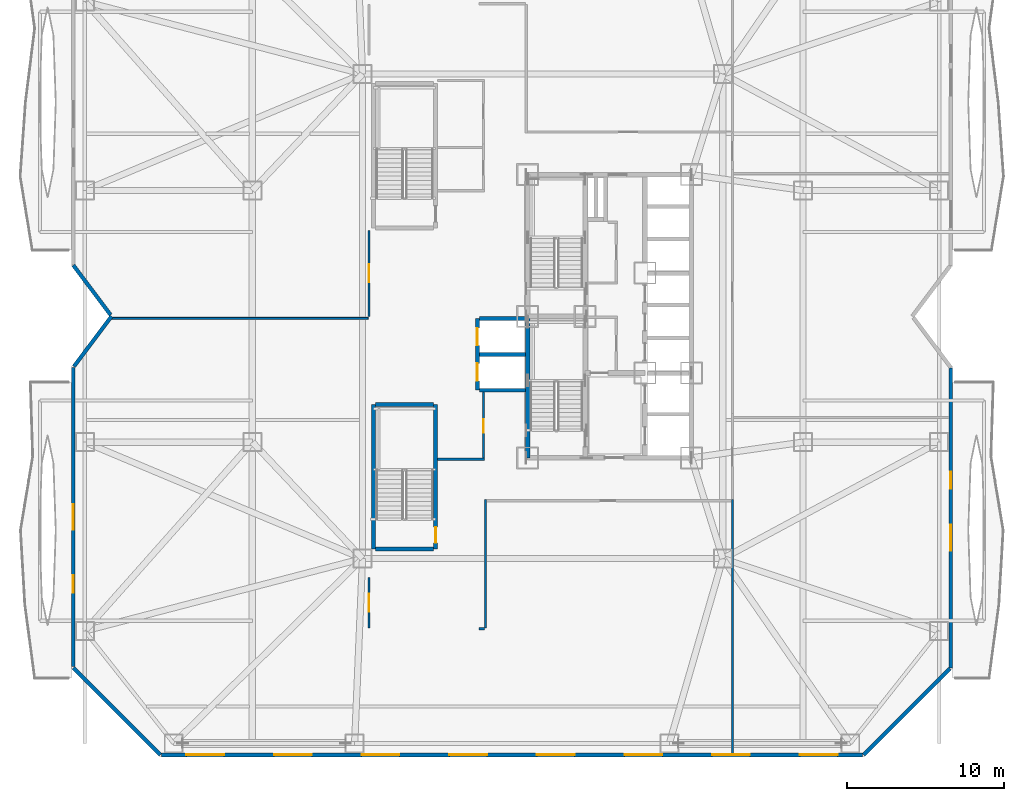
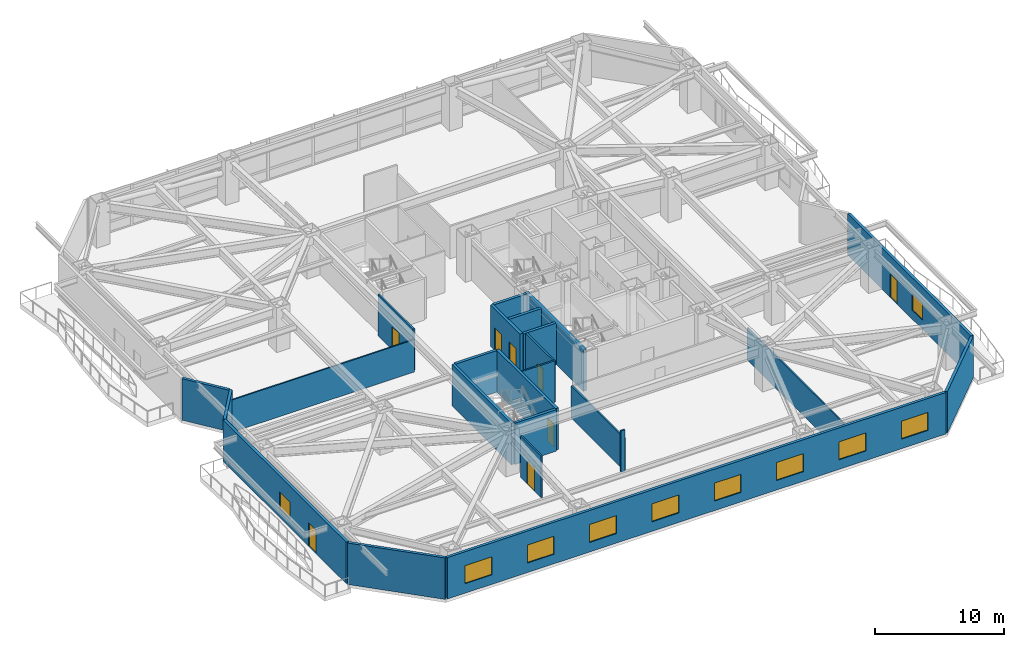
# One storey, part 16 of 25: 24 walls, 10 windows, 8 doors, 18 openings.
"""IFC4 building model written with IfcOpenShell, lengths in metres."""

from ifc_helpers import new_model, si_unit, direction, frame, frame_2d, origin, place, context, subcontext, project, spatial, rectangle, extrude, material, layer, layer_set, type_object, element, fill, save


model = new_model("IFC4")

# Units and contexts
model_context = context("Model", 3, precision=1e-05, world=origin(), true_north=direction((0.0, 1.0)))
body_context = subcontext(model_context, "Body", "Model", "MODEL_VIEW")
ifc_project = project(units=[si_unit("LENGTHUNIT", "METRE"), si_unit("AREAUNIT", "SQUARE_METRE"), si_unit("VOLUMEUNIT", "CUBIC_METRE"), si_unit("PLANEANGLEUNIT", "RADIAN"), si_unit("MASSUNIT", "GRAM", prefix="KILO")], contexts=[model_context])

# Site, building, storey
site_placement = place(None, origin())
site = spatial("IfcSite", under=ifc_project, at=site_placement, CompositionType="ELEMENT")
building_placement = place(site_placement, origin())
building = spatial("IfcBuilding", under=site, at=building_placement, Name="Khamvora Tower", CompositionType="ELEMENT")
storey_placement = place(building_placement, frame((0.0, 0.0, 16.199951171875)))
storey = spatial("IfcBuildingStorey", under=building, at=storey_placement, Name="L03", CompositionType="ELEMENT", Elevation=16.199951171875)

# Walls
ifc_material_1 = material(Name="Concrete C50/60", Category="concrete")
ifc_layer_1 = layer(ifc_material_1, 0.300048828125)
ifc_layer_set_1 = layer_set([ifc_layer_1], Name="Concrete C50/60")
wall_type_1 = type_object("IfcWallType", Name="WAL-CORE-300", PredefinedType="SHEAR", material=ifc_layer_set_1)
wall_1_placement = place(storey_placement, frame((29.0, 19.0, 0.0), z_axis=(0.0, 0.0, 1.0), x_axis=(0.0, 1.0, 0.0)))
element("IfcWall", 1, at=wall_1_placement, inside=storey, type_object=wall_type_1, Name="L03 central core west south wall", PredefinedType="SHEAR", context=body_context, shape_type="SweptSolid", body=[
    extrude(rectangle(XDim=9.0, YDim=0.300048828125, at=frame_2d((4.5, 0.0))), origin(), (0.0, 0.0, 1.0), 3.920166015625),
])
ifc_material_2 = material(Name="Fire-Rated Drywall and Steel Stud", Category="steel")
ifc_layer_2 = layer(ifc_material_2, 0.14990234375)
ifc_layer_set_2 = layer_set([ifc_layer_2], Name="Fire-Rated Drywall and Steel Stud")
wall_type_2 = type_object("IfcWallType", Name="WAL-CORR-150", PredefinedType="STANDARD", material=ifc_layer_set_2)
wall_2_placement = place(storey_placement, frame((23.26708984375, 18.9150390625, 0.0), z_axis=(0.0, 0.0, 1.0), x_axis=(1.0, 0.0, 0.0)))
element("IfcWall", 2, at=wall_2_placement, inside=storey, type_object=wall_type_2, Name="L03 interior partition wall 006", PredefinedType="STANDARD", context=body_context, shape_type="SweptSolid", body=[
    extrude(rectangle(XDim=2.98291015625, YDim=0.14990234375, at=frame_2d((1.491455078125, 0.0))), origin(), (0.0, 0.0, 1.0), 3.920166015625),
])

# Wall, opening, door
wall_3_placement = place(storey_placement, frame((26.18505859375, 18.85205078125, 0.0), z_axis=(0.0, 0.0, 1.0), x_axis=(0.0, 1.0, 0.0)))
wall_3 = element("IfcWall", 3, at=wall_3_placement, inside=storey, type_object=wall_type_2, Name="L03 interior partition wall 007", PredefinedType="STANDARD", context=body_context, shape_type="SweptSolid", body=[
    extrude(rectangle(XDim=4.3310546875, YDim=0.14990234375, at=frame_2d((2.16552734375, 0.0))), origin(), (0.0, 0.0, 1.0), 3.920166015625),
])
opening_1_placement = place(wall_3_placement, frame((1.740966796875, 0.0, 0.0)))
opening_1 = element("IfcOpeningElement", 4, at=opening_1_placement, cuts=wall_3, Name="Opening D-WC1", PredefinedType="OPENING", context=body_context, shape_type="SweptSolid", body=[
    extrude(rectangle(XDim=0.85009765625, YDim=2.10009765625, at=frame_2d((0.425048828125, 1.050048828125))), frame((0.0, 0.0849609375, 0.0), z_axis=(0.0, -1.0, 0.0), x_axis=(1.0, 0.0, 0.0)), (0.0, 0.0, 1.0), 0.169921875),
])
ifc_material_3 = material(Name="Powder-Coated Steel and Hardwood Leaf", Category="steel")
door_type_1 = type_object("IfcDoorType", Name="DOR-WET-850", OperationType="NOTDEFINED", PredefinedType="DOOR", material=ifc_material_3)
door_1_placement = place(opening_1_placement, origin())
door_1 = element("IfcDoor", 5, at=door_1_placement, inside=storey, type_object=door_type_1, Name="L03 interior door SCOR-WCM", OperationType="SINGLE_SWING_RIGHT", OverallHeight=2.10009765625, OverallWidth=0.85009765625, PredefinedType="DOOR", context=body_context, shape_type="SweptSolid", body=[
    extrude(rectangle(XDim=0.85009765625, YDim=2.10009765625, at=frame_2d((0.425048828125, 1.050048828125))), frame((0.0, 0.02490234375, 0.0), z_axis=(0.0, -1.0, 0.0), x_axis=(1.0, 0.0, 0.0)), (0.0, 0.0, 1.0), 0.050048828125),
])
fill(opening_1, door_1)

wall_4_placement = place(storey_placement, frame((18.9150390625, 8.199951171875, 0.0), z_axis=(0.0, 0.0, 1.0), x_axis=(0.0, 1.0, 0.0)))
wall_4 = element("IfcWall", 6, at=wall_4_placement, inside=storey, type_object=wall_type_2, Name="L03 interior partition wall 012", PredefinedType="STANDARD", context=body_context, shape_type="SweptSolid", body=[
    extrude(rectangle(XDim=3.199951171875, YDim=0.14990234375, at=frame_2d((1.60009765625, 0.0))), origin(), (0.0, 0.0, 1.0), 3.920166015625),
])
opening_2_placement = place(wall_4_placement, frame((1.02490234375, 0.0, 0.0)))
opening_2 = element("IfcOpeningElement", 7, at=opening_2_placement, cuts=wall_4, Name="Opening D-SC1", PredefinedType="OPENING", context=body_context, shape_type="SweptSolid", body=[
    extrude(rectangle(XDim=1.14990234375, YDim=2.199951171875, at=frame_2d((0.574951171875, 1.10009765625))), frame((0.0, 0.0849609375, 0.0), z_axis=(0.0, -1.0, 0.0), x_axis=(1.0, 0.0, 0.0)), (0.0, 0.0, 1.0), 0.169921875),
])
door_type_2 = type_object("IfcDoorType", Name="DOR-SCHL-1150", OperationType="NOTDEFINED", PredefinedType="DOOR", material=ifc_material_3)
door_2_placement = place(opening_2_placement, origin())
door_2 = element("IfcDoor", 8, at=door_2_placement, inside=storey, type_object=door_type_2, Name="L03 interior door SCOR-LB1", OperationType="SINGLE_SWING_LEFT", OverallHeight=2.199951171875, OverallWidth=1.14990234375, PredefinedType="DOOR", context=body_context, shape_type="SweptSolid", body=[
    extrude(rectangle(XDim=1.14990234375, YDim=2.199951171875, at=frame_2d((0.574951171875, 1.10009765625))), frame((0.0, 0.02490234375, 0.0), z_axis=(0.0, -1.0, 0.0), x_axis=(1.0, 0.0, 0.0)), (0.0, 0.0, 1.0), 0.050048828125),
])
fill(opening_2, door_2)

wall_5_placement = place(storey_placement, frame((18.9150390625, 28.0, 0.0), z_axis=(0.0, 0.0, 1.0), x_axis=(0.0, 1.0, 0.0)))
wall_5 = element("IfcWall", 9, at=wall_5_placement, inside=storey, type_object=wall_type_2, Name="L03 interior partition wall 013", PredefinedType="STANDARD", context=body_context, shape_type="SweptSolid", body=[
    extrude(rectangle(XDim=5.449951171875, YDim=0.14990234375, at=frame_2d((2.72509765625, 0.0))), origin(), (0.0, 0.0, 1.0), 3.920166015625),
])
opening_3_placement = place(wall_5_placement, frame((2.14990234375, 0.0, 0.0)))
opening_3 = element("IfcOpeningElement", 10, at=opening_3_placement, cuts=wall_5, Name="Opening D-SC1", PredefinedType="OPENING", context=body_context, shape_type="SweptSolid", body=[
    extrude(rectangle(XDim=1.14990234375, YDim=2.199951171875, at=frame_2d((0.574951171875, 1.10009765625))), frame((0.0, 0.0849609375, 0.0), z_axis=(0.0, -1.0, 0.0), x_axis=(1.0, 0.0, 0.0)), (0.0, 0.0, 1.0), 0.169921875),
])
door_3_placement = place(opening_3_placement, origin())
door_3 = element("IfcDoor", 11, at=door_3_placement, inside=storey, type_object=door_type_2, Name="L03 interior door SCOR-LB2", OperationType="SINGLE_SWING_RIGHT", OverallHeight=2.199951171875, OverallWidth=1.14990234375, PredefinedType="DOOR", context=body_context, shape_type="SweptSolid", body=[
    extrude(rectangle(XDim=1.14990234375, YDim=2.199951171875, at=frame_2d((0.574951171875, 1.10009765625))), frame((0.0, 0.02490234375, 0.0), z_axis=(0.0, -1.0, 0.0), x_axis=(1.0, 0.0, 0.0)), (0.0, 0.0, 1.0), 0.050048828125),
])
fill(opening_3, door_3)

# Walls
wall_6_placement = place(storey_placement, frame((26.31494140625, 16.35009765625, 0.0), z_axis=(0.0, 0.0, 1.0), x_axis=(0.0, -1.0, 0.0)))
element("IfcWall", 12, at=wall_6_placement, inside=storey, type_object=wall_type_2, Name="L03 interior partition wall 019", PredefinedType="STANDARD", context=body_context, shape_type="SweptSolid", body=[
    extrude(rectangle(XDim=8.150146484375, YDim=0.14990234375, at=frame_2d((4.0751953125, 0.0))), origin(), (0.0, 0.0, 1.0), 3.054931640625),
])
wall_7_placement = place(storey_placement, frame((26.25, 8.135009765625, 0.0), z_axis=(0.0, 0.0, 1.0), x_axis=(-1.0, 0.0, 0.0)))
element("IfcWall", 13, at=wall_7_placement, inside=storey, type_object=wall_type_2, Name="L03 interior partition wall 020", PredefinedType="STANDARD", context=body_context, shape_type="SweptSolid", body=[
    extrude(rectangle(XDim=0.339111328125, YDim=0.14990234375, at=frame_2d((0.16943359375, 0.0))), origin(), (0.0, 0.0, 1.0), 3.920166015625),
])
ifc_material_4 = material(Name="Precast concrete C40/50", Category="concrete")
ifc_layer_3 = layer(ifc_material_4, 0.239990234375)
ifc_layer_set_3 = layer_set([ifc_layer_3], Name="Precast concrete C40/50")
wall_type_3 = type_object("IfcWallType", Name="WAL-EXT-240", PredefinedType="STANDARD", material=ifc_layer_set_3)
wall_8_placement = place(storey_placement, frame((5.64990234375, 0.1201171875, 0.0), z_axis=(0.0, 0.0, 1.0), x_axis=(-0.707106781187, 0.707106781187, 0.0)))
element("IfcWall", 14, at=wall_8_placement, inside=storey, type_object=wall_type_3, Name="L03 exterior facade wall 01.1", PredefinedType="STANDARD", context=body_context, shape_type="SweptSolid", body=[
    extrude(rectangle(XDim=7.8203125, YDim=0.239990234375, at=frame_2d((3.91015625, 0.0))), origin(), (0.0, 0.0, 1.0), 3.920166015625),
])

# Wall, openings, door, window
wall_9_placement = place(storey_placement, frame((0.1201171875, 5.72802734375, 0.0), z_axis=(0.0, 0.0, 1.0), x_axis=(0.0, 1.0, 0.0)))
wall_9 = element("IfcWall", 15, at=wall_9_placement, inside=storey, type_object=wall_type_3, Name="L03 exterior facade wall 02.1", PredefinedType="STANDARD", context=body_context, shape_type="SweptSolid", body=[
    extrude(rectangle(XDim=19.031982421875, YDim=0.239990234375, at=frame_2d((9.51611328125, 0.0))), origin(), (0.0, 0.0, 1.0), 3.920166015625),
])
opening_4_placement = place(wall_9_placement, frame((4.7060546875, 0.0, 0.0)))
opening_4 = element("IfcOpeningElement", 16, at=opening_4_placement, cuts=wall_9, Name="Opening BD-01", PredefinedType="OPENING", context=body_context, shape_type="SweptSolid", body=[
    extrude(rectangle(XDim=1.10009765625, YDim=2.199951171875, at=frame_2d((0.550048828125, 1.10009765625))), frame((0.0, 0.1298828125, 0.0), z_axis=(0.0, -1.0, 0.0), x_axis=(1.0, 0.0, 0.0)), (0.0, 0.0, 1.0), 0.260009765625),
])
opening_5_placement = place(wall_9_placement, frame((8.69091796875, 0.0, 0.85009765625)))
opening_5 = element("IfcOpeningElement", 17, at=opening_5_placement, cuts=wall_9, Name="Opening WN-06", PredefinedType="OPENING", context=body_context, shape_type="SweptSolid", body=[
    extrude(rectangle(XDim=1.64990234375, YDim=1.550048828125, at=frame_2d((0.824951171875, 0.77490234375))), frame((0.0, 0.1298828125, 0.0), z_axis=(0.0, -1.0, 0.0), x_axis=(1.0, 0.0, 0.0)), (0.0, 0.0, 1.0), 0.260009765625),
])
ifc_material_5 = material(Name="Anodised Aluminium and Laminated Safety Glass", Category="aluminium")
door_type_3 = type_object("IfcDoorType", Name="DOR-BAL-1100", OperationType="NOTDEFINED", PredefinedType="DOOR", material=ifc_material_5)
door_4_placement = place(opening_4_placement, origin())
door_4 = element("IfcDoor", 18, at=door_4_placement, inside=storey, type_object=door_type_3, Name="L03 lens gallery balcony door WL1", OperationType="SLIDING_TO_LEFT", OverallHeight=2.199951171875, OverallWidth=1.10009765625, PredefinedType="DOOR", context=body_context, shape_type="SweptSolid", body=[
    extrude(rectangle(XDim=1.10009765625, YDim=2.199951171875, at=frame_2d((0.550048828125, 1.10009765625))), frame((0.0, 0.02490234375, 0.0), z_axis=(0.0, -1.0, 0.0), x_axis=(1.0, 0.0, 0.0)), (0.0, 0.0, 1.0), 0.050048828125),
])
fill(opening_4, door_4)
ifc_material_6 = material(Name="Low-E Laminated Double Glazing", Category="glass")
window_type_1 = type_object("IfcWindowType", Name="WIN-VIS-1650x1550", PartitioningType="SINGLE_PANEL", PredefinedType="WINDOW", material=ifc_material_6)
window_1_placement = place(opening_5_placement, origin())
window_1 = element("IfcWindow", 19, at=window_1_placement, inside=storey, type_object=window_type_1, Name="L03 vision window 02.1.01", OverallHeight=1.550048828125, OverallWidth=1.64990234375, PartitioningType="SINGLE_PANEL", PredefinedType="WINDOW", context=body_context, shape_type="SweptSolid", body=[
    extrude(rectangle(XDim=1.64990234375, YDim=1.550048828125, at=frame_2d((0.824951171875, 0.77490234375))), frame((0.0, 0.030029296875, 0.0), z_axis=(0.0, -1.0, 0.0), x_axis=(1.0, 0.0, 0.0)), (0.0, 0.0, 1.0), 0.06005859375),
])
fill(opening_5, window_1)

# Walls
wall_10_placement = place(storey_placement, frame((0.157958984375, 24.81103515625, 0.0), z_axis=(0.0, 0.0, 1.0), x_axis=(0.600058791648, 0.799955902889, 0.0)))
element("IfcWall", 20, at=wall_10_placement, inside=storey, type_object=wall_type_3, Name="L03 exterior facade wall 03.1", PredefinedType="STANDARD", context=body_context, shape_type="SweptSolid", body=[
    extrude(rectangle(XDim=3.986328125, YDim=0.239990234375, at=frame_2d((1.9931640625, 0.0))), origin(), (0.0, 0.0, 1.0), 3.920166015625),
])
wall_11_placement = place(storey_placement, frame((2.487060546875, 28.083984375, 0.0), z_axis=(0.0, 0.0, 1.0), x_axis=(-0.599990098106, 0.800007426325, 0.0)))
element("IfcWall", 21, at=wall_11_placement, inside=storey, type_object=wall_type_3, Name="L03 exterior facade wall 04.1", PredefinedType="STANDARD", context=body_context, shape_type="SweptSolid", body=[
    extrude(rectangle(XDim=3.945068359375, YDim=0.239990234375, at=frame_2d((1.97265625, 0.0))), origin(), (0.0, 0.0, 1.0), 3.920166015625),
])

# Wall, openings, door, window
wall_12_placement = place(storey_placement, frame((55.8798828125, 24.697998046875, 0.0), z_axis=(0.0, 0.0, 1.0), x_axis=(0.0, -1.0, 0.0)))
wall_12 = element("IfcWall", 22, at=wall_12_placement, inside=storey, type_object=wall_type_3, Name="L03 exterior facade wall 12.1", PredefinedType="STANDARD", context=body_context, shape_type="SweptSolid", body=[
    extrude(rectangle(XDim=19.048095703125, YDim=0.239990234375, at=frame_2d((9.52392578125, 0.0))), origin(), (0.0, 0.0, 1.0), 3.920166015625),
])
opening_6_placement = place(wall_12_placement, frame((6.56396484375, 0.0, 0.0)))
opening_6 = element("IfcOpeningElement", 23, at=opening_6_placement, cuts=wall_12, Name="Opening BD-01", PredefinedType="OPENING", context=body_context, shape_type="SweptSolid", body=[
    extrude(rectangle(XDim=1.10009765625, YDim=2.199951171875, at=frame_2d((0.550048828125, 1.10009765625))), frame((0.0, 0.1298828125, 0.0), z_axis=(0.0, -1.0, 0.0), x_axis=(1.0, 0.0, 0.0)), (0.0, 0.0, 1.0), 0.260009765625),
])
opening_7_placement = place(wall_12_placement, frame((9.947998046875, 0.0, 0.85009765625)))
opening_7 = element("IfcOpeningElement", 24, at=opening_7_placement, cuts=wall_12, Name="Opening WN-06", PredefinedType="OPENING", context=body_context, shape_type="SweptSolid", body=[
    extrude(rectangle(XDim=1.64990234375, YDim=1.550048828125, at=frame_2d((0.824951171875, 0.77490234375))), frame((0.0, 0.1298828125, 0.0), z_axis=(0.0, -1.0, 0.0), x_axis=(1.0, 0.0, 0.0)), (0.0, 0.0, 1.0), 0.260009765625),
])
door_5_placement = place(opening_6_placement, origin())
door_5 = element("IfcDoor", 25, at=door_5_placement, inside=storey, type_object=door_type_3, Name="L03 lens gallery balcony door EL1", OperationType="SLIDING_TO_LEFT", OverallHeight=2.199951171875, OverallWidth=1.10009765625, PredefinedType="DOOR", context=body_context, shape_type="SweptSolid", body=[
    extrude(rectangle(XDim=1.10009765625, YDim=2.199951171875, at=frame_2d((0.550048828125, 1.10009765625))), frame((0.0, 0.02490234375, 0.0), z_axis=(0.0, -1.0, 0.0), x_axis=(1.0, 0.0, 0.0)), (0.0, 0.0, 1.0), 0.050048828125),
])
fill(opening_6, door_5)
window_2_placement = place(opening_7_placement, origin())
window_2 = element("IfcWindow", 26, at=window_2_placement, inside=storey, type_object=window_type_1, Name="L03 vision window 12.1.01", OverallHeight=1.550048828125, OverallWidth=1.64990234375, PartitioningType="SINGLE_PANEL", PredefinedType="WINDOW", context=body_context, shape_type="SweptSolid", body=[
    extrude(rectangle(XDim=1.64990234375, YDim=1.550048828125, at=frame_2d((0.824951171875, 0.77490234375))), frame((0.0, 0.030029296875, 0.0), z_axis=(0.0, -1.0, 0.0), x_axis=(1.0, 0.0, 0.0)), (0.0, 0.0, 1.0), 0.06005859375),
])
fill(opening_7, window_2)

# Wall
wall_13_placement = place(storey_placement, frame((55.825927734375, 5.595947265625, 0.0), z_axis=(0.0, 0.0, 1.0), x_axis=(-0.707106781187, -0.707106781187, 0.0)))
element("IfcWall", 27, at=wall_13_placement, inside=storey, type_object=wall_type_3, Name="L03 exterior facade wall 13.1", PredefinedType="STANDARD", context=body_context, shape_type="SweptSolid", body=[
    extrude(rectangle(XDim=7.743896484375, YDim=0.239990234375, at=frame_2d((3.8720703125, 0.0))), origin(), (0.0, 0.0, 1.0), 3.920166015625),
])

# Wall, openings, windows
wall_14_placement = place(storey_placement, frame((50.27490234375, 0.1201171875, 0.0), z_axis=(0.0, 0.0, 1.0), x_axis=(-1.0, 0.0, 0.0)))
wall_14 = element("IfcWall", 28, at=wall_14_placement, inside=storey, type_object=wall_type_3, Name="L03 exterior facade wall 14.1", PredefinedType="STANDARD", context=body_context, shape_type="SweptSolid", body=[
    extrude(rectangle(XDim=44.5498046875, YDim=0.239990234375, at=frame_2d((22.27490234375, 0.0))), origin(), (0.0, 0.0, 1.0), 3.920166015625),
])
opening_8_placement = place(wall_14_placement, frame((1.583984375, 0.0, 0.89990234375)))
opening_8 = element("IfcOpeningElement", 29, at=opening_8_placement, cuts=wall_14, Name="Opening WN-04", PredefinedType="OPENING", context=body_context, shape_type="SweptSolid", body=[
    extrude(rectangle(XDim=2.39990234375, YDim=1.699951171875, at=frame_2d((1.199951171875, 0.85009765625))), frame((0.0, 0.1298828125, 0.0), z_axis=(0.0, -1.0, 0.0), x_axis=(1.0, 0.0, 0.0)), (0.0, 0.0, 1.0), 0.260009765625),
])
opening_9_placement = place(wall_14_placement, frame((7.153076171875, 0.0, 0.89990234375)))
opening_9 = element("IfcOpeningElement", 30, at=opening_9_placement, cuts=wall_14, Name="Opening WN-04", PredefinedType="OPENING", context=body_context, shape_type="SweptSolid", body=[
    extrude(rectangle(XDim=2.39990234375, YDim=1.699951171875, at=frame_2d((1.199951171875, 0.85009765625))), frame((0.0, 0.1298828125, 0.0), z_axis=(0.0, -1.0, 0.0), x_axis=(1.0, 0.0, 0.0)), (0.0, 0.0, 1.0), 0.260009765625),
])
opening_10_placement = place(wall_14_placement, frame((12.721923828125, 0.0, 0.89990234375)))
opening_10 = element("IfcOpeningElement", 31, at=opening_10_placement, cuts=wall_14, Name="Opening WN-04", PredefinedType="OPENING", context=body_context, shape_type="SweptSolid", body=[
    extrude(rectangle(XDim=2.39990234375, YDim=1.699951171875, at=frame_2d((1.199951171875, 0.85009765625))), frame((0.0, 0.1298828125, 0.0), z_axis=(0.0, -1.0, 0.0), x_axis=(1.0, 0.0, 0.0)), (0.0, 0.0, 1.0), 0.260009765625),
])
opening_11_placement = place(wall_14_placement, frame((18.291015625, 0.0, 0.89990234375)))
opening_11 = element("IfcOpeningElement", 32, at=opening_11_placement, cuts=wall_14, Name="Opening WN-04", PredefinedType="OPENING", context=body_context, shape_type="SweptSolid", body=[
    extrude(rectangle(XDim=2.39990234375, YDim=1.699951171875, at=frame_2d((1.199951171875, 0.85009765625))), frame((0.0, 0.1298828125, 0.0), z_axis=(0.0, -1.0, 0.0), x_axis=(1.0, 0.0, 0.0)), (0.0, 0.0, 1.0), 0.260009765625),
])
opening_12_placement = place(wall_14_placement, frame((23.85888671875, 0.0, 0.89990234375)))
opening_12 = element("IfcOpeningElement", 33, at=opening_12_placement, cuts=wall_14, Name="Opening WN-04", PredefinedType="OPENING", context=body_context, shape_type="SweptSolid", body=[
    extrude(rectangle(XDim=2.39990234375, YDim=1.699951171875, at=frame_2d((1.199951171875, 0.85009765625))), frame((0.0, 0.1298828125, 0.0), z_axis=(0.0, -1.0, 0.0), x_axis=(1.0, 0.0, 0.0)), (0.0, 0.0, 1.0), 0.260009765625),
])
opening_13_placement = place(wall_14_placement, frame((29.427978515625, 0.0, 0.89990234375)))
opening_13 = element("IfcOpeningElement", 34, at=opening_13_placement, cuts=wall_14, Name="Opening WN-04", PredefinedType="OPENING", context=body_context, shape_type="SweptSolid", body=[
    extrude(rectangle(XDim=2.39990234375, YDim=1.699951171875, at=frame_2d((1.199951171875, 0.85009765625))), frame((0.0, 0.1298828125, 0.0), z_axis=(0.0, -1.0, 0.0), x_axis=(1.0, 0.0, 0.0)), (0.0, 0.0, 1.0), 0.260009765625),
])
opening_14_placement = place(wall_14_placement, frame((34.9970703125, 0.0, 0.89990234375)))
opening_14 = element("IfcOpeningElement", 35, at=opening_14_placement, cuts=wall_14, Name="Opening WN-04", PredefinedType="OPENING", context=body_context, shape_type="SweptSolid", body=[
    extrude(rectangle(XDim=2.39990234375, YDim=1.699951171875, at=frame_2d((1.199951171875, 0.85009765625))), frame((0.0, 0.1298828125, 0.0), z_axis=(0.0, -1.0, 0.0), x_axis=(1.0, 0.0, 0.0)), (0.0, 0.0, 1.0), 0.260009765625),
])
opening_15_placement = place(wall_14_placement, frame((40.56591796875, 0.0, 0.89990234375)))
opening_15 = element("IfcOpeningElement", 36, at=opening_15_placement, cuts=wall_14, Name="Opening WN-04", PredefinedType="OPENING", context=body_context, shape_type="SweptSolid", body=[
    extrude(rectangle(XDim=2.39990234375, YDim=1.699951171875, at=frame_2d((1.199951171875, 0.85009765625))), frame((0.0, 0.1298828125, 0.0), z_axis=(0.0, -1.0, 0.0), x_axis=(1.0, 0.0, 0.0)), (0.0, 0.0, 1.0), 0.260009765625),
])
window_type_2 = type_object("IfcWindowType", Name="WIN-VIS-2400x1700", PartitioningType="SINGLE_PANEL", PredefinedType="WINDOW", material=ifc_material_6)
window_3_placement = place(opening_8_placement, origin())
window_3 = element("IfcWindow", 37, at=window_3_placement, inside=storey, type_object=window_type_2, Name="L03 vision window 14.1.01", OverallHeight=1.699951171875, OverallWidth=2.39990234375, PartitioningType="SINGLE_PANEL", PredefinedType="WINDOW", context=body_context, shape_type="SweptSolid", body=[
    extrude(rectangle(XDim=2.39990234375, YDim=1.699951171875, at=frame_2d((1.199951171875, 0.85009765625))), frame((0.0, 0.030029296875, 0.0), z_axis=(0.0, -1.0, 0.0), x_axis=(1.0, 0.0, 0.0)), (0.0, 0.0, 1.0), 0.06005859375),
])
fill(opening_8, window_3)
window_4_placement = place(opening_9_placement, origin())
window_4 = element("IfcWindow", 38, at=window_4_placement, inside=storey, type_object=window_type_2, Name="L03 vision window 14.1.02", OverallHeight=1.699951171875, OverallWidth=2.39990234375, PartitioningType="SINGLE_PANEL", PredefinedType="WINDOW", context=body_context, shape_type="SweptSolid", body=[
    extrude(rectangle(XDim=2.39990234375, YDim=1.699951171875, at=frame_2d((1.199951171875, 0.85009765625))), frame((0.0, 0.030029296875, 0.0), z_axis=(0.0, -1.0, 0.0), x_axis=(1.0, 0.0, 0.0)), (0.0, 0.0, 1.0), 0.06005859375),
])
fill(opening_9, window_4)
window_5_placement = place(opening_10_placement, origin())
window_5 = element("IfcWindow", 39, at=window_5_placement, inside=storey, type_object=window_type_2, Name="L03 vision window 14.1.03", OverallHeight=1.699951171875, OverallWidth=2.39990234375, PartitioningType="SINGLE_PANEL", PredefinedType="WINDOW", context=body_context, shape_type="SweptSolid", body=[
    extrude(rectangle(XDim=2.39990234375, YDim=1.699951171875, at=frame_2d((1.199951171875, 0.85009765625))), frame((0.0, 0.030029296875, 0.0), z_axis=(0.0, -1.0, 0.0), x_axis=(1.0, 0.0, 0.0)), (0.0, 0.0, 1.0), 0.06005859375),
])
fill(opening_10, window_5)
window_6_placement = place(opening_11_placement, origin())
window_6 = element("IfcWindow", 40, at=window_6_placement, inside=storey, type_object=window_type_2, Name="L03 vision window 14.1.04", OverallHeight=1.699951171875, OverallWidth=2.39990234375, PartitioningType="SINGLE_PANEL", PredefinedType="WINDOW", context=body_context, shape_type="SweptSolid", body=[
    extrude(rectangle(XDim=2.39990234375, YDim=1.699951171875, at=frame_2d((1.199951171875, 0.85009765625))), frame((0.0, 0.030029296875, 0.0), z_axis=(0.0, -1.0, 0.0), x_axis=(1.0, 0.0, 0.0)), (0.0, 0.0, 1.0), 0.06005859375),
])
fill(opening_11, window_6)
window_7_placement = place(opening_12_placement, origin())
window_7 = element("IfcWindow", 41, at=window_7_placement, inside=storey, type_object=window_type_2, Name="L03 vision window 14.1.05", OverallHeight=1.699951171875, OverallWidth=2.39990234375, PartitioningType="SINGLE_PANEL", PredefinedType="WINDOW", context=body_context, shape_type="SweptSolid", body=[
    extrude(rectangle(XDim=2.39990234375, YDim=1.699951171875, at=frame_2d((1.199951171875, 0.85009765625))), frame((0.0, 0.030029296875, 0.0), z_axis=(0.0, -1.0, 0.0), x_axis=(1.0, 0.0, 0.0)), (0.0, 0.0, 1.0), 0.06005859375),
])
fill(opening_12, window_7)
window_8_placement = place(opening_13_placement, origin())
window_8 = element("IfcWindow", 42, at=window_8_placement, inside=storey, type_object=window_type_2, Name="L03 vision window 14.1.06", OverallHeight=1.699951171875, OverallWidth=2.39990234375, PartitioningType="SINGLE_PANEL", PredefinedType="WINDOW", context=body_context, shape_type="SweptSolid", body=[
    extrude(rectangle(XDim=2.39990234375, YDim=1.699951171875, at=frame_2d((1.199951171875, 0.85009765625))), frame((0.0, 0.030029296875, 0.0), z_axis=(0.0, -1.0, 0.0), x_axis=(1.0, 0.0, 0.0)), (0.0, 0.0, 1.0), 0.06005859375),
])
fill(opening_13, window_8)
window_9_placement = place(opening_14_placement, origin())
window_9 = element("IfcWindow", 43, at=window_9_placement, inside=storey, type_object=window_type_2, Name="L03 vision window 14.1.07", OverallHeight=1.699951171875, OverallWidth=2.39990234375, PartitioningType="SINGLE_PANEL", PredefinedType="WINDOW", context=body_context, shape_type="SweptSolid", body=[
    extrude(rectangle(XDim=2.39990234375, YDim=1.699951171875, at=frame_2d((1.199951171875, 0.85009765625))), frame((0.0, 0.030029296875, 0.0), z_axis=(0.0, -1.0, 0.0), x_axis=(1.0, 0.0, 0.0)), (0.0, 0.0, 1.0), 0.06005859375),
])
fill(opening_14, window_9)
window_10_placement = place(opening_15_placement, origin())
window_10 = element("IfcWindow", 44, at=window_10_placement, inside=storey, type_object=window_type_2, Name="L03 vision window 14.1.08", OverallHeight=1.699951171875, OverallWidth=2.39990234375, PartitioningType="SINGLE_PANEL", PredefinedType="WINDOW", context=body_context, shape_type="SweptSolid", body=[
    extrude(rectangle(XDim=2.39990234375, YDim=1.699951171875, at=frame_2d((1.199951171875, 0.85009765625))), frame((0.0, 0.030029296875, 0.0), z_axis=(0.0, -1.0, 0.0), x_axis=(1.0, 0.0, 0.0)), (0.0, 0.0, 1.0), 0.06005859375),
])
fill(opening_15, window_10)

# Walls
ifc_material_7 = material(Name="Gypsum Plasterboard Partition", Category="gypsum")
ifc_layer_4 = layer(ifc_material_7, 0.1201171875)
ifc_layer_set_4 = layer_set([ifc_layer_4], Name="Gypsum Plasterboard Partition")
wall_type_4 = type_object("IfcWallType", Name="WAL-PART-120", PredefinedType="PARTITIONING", material=ifc_layer_set_4)
wall_15_placement = place(storey_placement, frame((2.449951171875, 27.864990234375, 0.0), z_axis=(0.0, 0.0, 1.0), x_axis=(1.0, 0.0, 0.0)))
element("IfcWall", 45, at=wall_15_placement, inside=storey, type_object=wall_type_4, Name="L03 interior partition wall 025", PredefinedType="PARTITIONING", context=body_context, shape_type="SweptSolid", body=[
    extrude(rectangle(XDim=16.41015625, YDim=0.1201171875, at=frame_2d((8.205078125, 0.0))), origin(), (0.0, 0.0, 1.0), 3.054931640625),
])
wall_16_placement = place(storey_placement, frame((42.014892578125, 0.242919921875, 0.0), z_axis=(0.0, 0.0, 1.0), x_axis=(0.0, 1.0, 0.0)))
element("IfcWall", 46, at=wall_16_placement, inside=storey, type_object=wall_type_4, Name="L03 interior partition wall 027", PredefinedType="PARTITIONING", context=body_context, shape_type="SweptSolid", body=[
    extrude(rectangle(XDim=16.107177734375, YDim=0.1201171875, at=frame_2d((8.0537109375, 0.0))), origin(), (0.0, 0.0, 1.0), 3.054931640625),
])
ifc_material_8 = material(Name="Concrete C40/50", Category="concrete")
ifc_layer_5 = layer(ifc_material_8, 0.25)
ifc_layer_set_5 = layer_set([ifc_layer_5], Name="Concrete C40/50")
wall_type_5 = type_object("IfcWallType", Name="WAL-PODS-250", PredefinedType="SHEAR", material=ifc_layer_set_5)
wall_17_placement = place(storey_placement, frame((19.199951171875, 13.199951171875, 0.0), z_axis=(0.0, 0.0, 1.0), x_axis=(0.0, 1.0, 0.0)))
element("IfcWall", 47, at=wall_17_placement, inside=storey, type_object=wall_type_5, Name="L03 podium stair core wall st3 w", PredefinedType="SHEAR", context=body_context, shape_type="SweptSolid", body=[
    extrude(rectangle(XDim=9.199951171875, YDim=0.25, at=frame_2d((4.60009765625, 0.0))), origin(), (0.0, 0.0, 1.0), 3.920166015625),
])

# Wall, opening, door
wall_18_placement = place(storey_placement, frame((23.14990234375, 13.199951171875, 0.0), z_axis=(0.0, 0.0, 1.0), x_axis=(0.0, 1.0, 0.0)))
wall_18 = element("IfcWall", 48, at=wall_18_placement, inside=storey, type_object=wall_type_5, Name="L03 podium stair core wall st3 e", PredefinedType="SHEAR", context=body_context, shape_type="SweptSolid", body=[
    extrude(rectangle(XDim=9.199951171875, YDim=0.25, at=frame_2d((4.60009765625, 0.0))), origin(), (0.0, 0.0, 1.0), 3.920166015625),
])
opening_16_placement = place(wall_18_placement, frame((0.39990234375, 0.0, 0.0)))
opening_16 = element("IfcOpeningElement", 49, at=opening_16_placement, cuts=wall_18, Name="Opening D-ST1", PredefinedType="OPENING", context=body_context, shape_type="SweptSolid", body=[
    extrude(rectangle(XDim=1.0, YDim=2.14990234375, at=frame_2d((0.5, 1.074951171875))), frame((0.0, 0.135009765625, 0.0), z_axis=(0.0, -1.0, 0.0), x_axis=(1.0, 0.0, 0.0)), (0.0, 0.0, 1.0), 0.27001953125),
])
door_type_4 = type_object("IfcDoorType", Name="DOR-STAIR-1000", OperationType="NOTDEFINED", PredefinedType="DOOR", material=ifc_material_3)
door_6_placement = place(opening_16_placement, origin())
door_6 = element("IfcDoor", 50, at=door_6_placement, inside=storey, type_object=door_type_4, Name="L03 podium stair ST3 enclosure door", OperationType="SINGLE_SWING_LEFT", OverallHeight=2.14990234375, OverallWidth=1.0, PredefinedType="DOOR", context=body_context, shape_type="SweptSolid", body=[
    extrude(rectangle(XDim=1.0, YDim=2.14990234375, at=frame_2d((0.5, 1.074951171875))), frame((0.0, 0.02490234375, 0.0), z_axis=(0.0, -1.0, 0.0), x_axis=(1.0, 0.0, 0.0)), (0.0, 0.0, 1.0), 0.050048828125),
])
fill(opening_16, door_6)

# Walls
for number, where, z_axis, x_axis, name in (
    (51, (19.3291015625, 13.199951171875, 0.0), (0.0, 0.0, 1.0), (1.0, 0.0, 0.0), "L03 podium stair core wall st3 s"),
    (52, (19.3291015625, 22.39990234375, 0.0), (0.0, 0.0, 1.0), (1.0, 0.0, 0.0), "L03 podium stair core wall st3 n"),
):
    element("IfcWall", number, at=place(storey_placement, frame(where, z_axis=z_axis, x_axis=x_axis)), inside=storey, type_object=wall_type_5, Name=name, PredefinedType="SHEAR", context=body_context, shape_type="SweptSolid", body=[
        extrude(rectangle(XDim=3.69189453125, YDim=0.25, at=frame_2d((1.845947265625, 0.0))), origin(), (0.0, 0.0, 1.0), 3.920166015625),
    ])

# Wall, openings, doors
wall_19_placement = place(storey_placement, frame((25.800048828125, 23.300048828125, 0.0), z_axis=(0.0, 0.0, 1.0), x_axis=(0.0, 1.0, 0.0)))
wall_19 = element("IfcWall", 53, at=wall_19_placement, inside=storey, type_object=wall_type_5, Name="L03 podium lift shaft wall slw w", PredefinedType="SHEAR", context=body_context, shape_type="SweptSolid", body=[
    extrude(rectangle(XDim=4.550048828125, YDim=0.25, at=frame_2d((2.27490234375, 0.0))), origin(), (0.0, 0.0, 1.0), 3.920166015625),
])
opening_17_placement = place(wall_19_placement, frame((0.60009765625, 0.0, 0.0)))
opening_17 = element("IfcOpeningElement", 54, at=opening_17_placement, cuts=wall_19, Name="Opening LD-SL", PredefinedType="OPENING", context=body_context, shape_type="SweptSolid", body=[
    extrude(rectangle(XDim=1.10009765625, YDim=2.14990234375, at=frame_2d((0.550048828125, 1.074951171875))), frame((0.0, 0.135009765625, 0.0), z_axis=(0.0, -1.0, 0.0), x_axis=(1.0, 0.0, 0.0)), (0.0, 0.0, 1.0), 0.27001953125),
])
opening_18_placement = place(wall_19_placement, frame((2.85009765625, 0.0, 0.0)))
opening_18 = element("IfcOpeningElement", 55, at=opening_18_placement, cuts=wall_19, Name="Opening LD-SL", PredefinedType="OPENING", context=body_context, shape_type="SweptSolid", body=[
    extrude(rectangle(XDim=1.10009765625, YDim=2.14990234375, at=frame_2d((0.550048828125, 1.074951171875))), frame((0.0, 0.135009765625, 0.0), z_axis=(0.0, -1.0, 0.0), x_axis=(1.0, 0.0, 0.0)), (0.0, 0.0, 1.0), 0.27001953125),
])
door_type_5 = type_object("IfcDoorType", Name="DOR-LIFT-1100S", OperationType="SLIDING_TO_LEFT", PredefinedType="DOOR", material=ifc_material_3)
door_7_placement = place(opening_17_placement, origin())
door_7 = element("IfcDoor", 56, at=door_7_placement, inside=storey, type_object=door_type_5, Name="L03 school lift landing sliding door SL-01", OperationType="SLIDING_TO_LEFT", OverallHeight=2.14990234375, OverallWidth=1.10009765625, PredefinedType="DOOR", context=body_context, shape_type="SweptSolid", body=[
    extrude(rectangle(XDim=1.10009765625, YDim=2.14990234375, at=frame_2d((0.550048828125, 1.074951171875))), frame((0.0, 0.02490234375, 0.0), z_axis=(0.0, -1.0, 0.0), x_axis=(1.0, 0.0, 0.0)), (0.0, 0.0, 1.0), 0.050048828125),
])
fill(opening_17, door_7)
door_8_placement = place(opening_18_placement, origin())
door_8 = element("IfcDoor", 57, at=door_8_placement, inside=storey, type_object=door_type_5, Name="L03 school lift landing sliding door SL-02", OperationType="SLIDING_TO_LEFT", OverallHeight=2.14990234375, OverallWidth=1.10009765625, PredefinedType="DOOR", context=body_context, shape_type="SweptSolid", body=[
    extrude(rectangle(XDim=1.10009765625, YDim=2.14990234375, at=frame_2d((0.550048828125, 1.074951171875))), frame((0.0, 0.02490234375, 0.0), z_axis=(0.0, -1.0, 0.0), x_axis=(1.0, 0.0, 0.0)), (0.0, 0.0, 1.0), 0.050048828125),
])
fill(opening_18, door_8)

# Walls
for number, where, z_axis, x_axis, name in (
    (58, (25.928955078125, 23.300048828125, 0.0), (0.0, 0.0, 1.0), (1.0, 0.0, 0.0), "L03 podium lift shaft wall slw s"),
    (59, (25.928955078125, 27.85009765625, 0.0), (0.0, 0.0, 1.0), (1.0, 0.0, 0.0), "L03 podium lift shaft wall slw n"),
    (60, (25.928955078125, 25.570068359375, 0.0), (0.0, 0.0, 1.0), (1.0, 0.0, 0.0), "L03 podium lift shaft wall slw m"),
):
    element("IfcWall", number, at=place(storey_placement, frame(where, z_axis=z_axis, x_axis=x_axis)), inside=storey, type_object=wall_type_5, Name=name, PredefinedType="SHEAR", context=body_context, shape_type="SweptSolid", body=[
        extrude(rectangle(XDim=2.9169921875, YDim=0.25, at=frame_2d((1.45849609375, 0.0))), origin(), (0.0, 0.0, 1.0), 3.920166015625),
    ])

save(model, "model.ifc")
